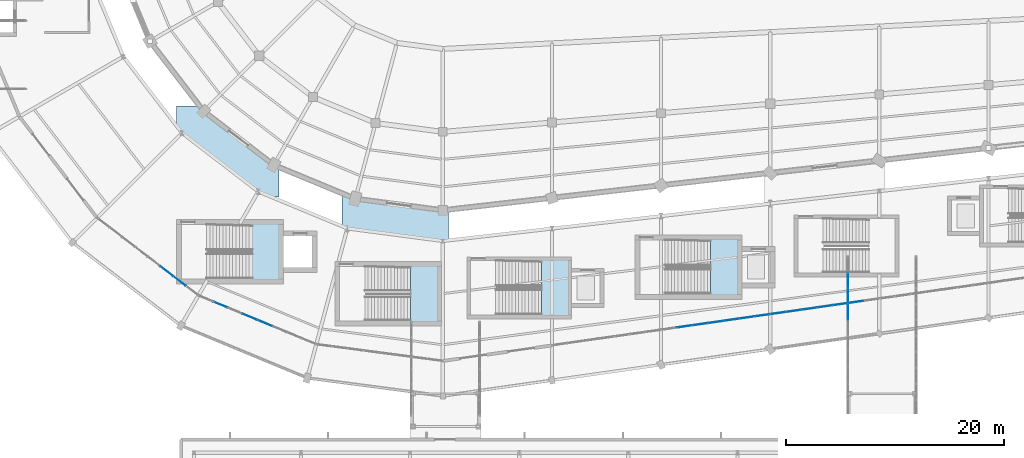
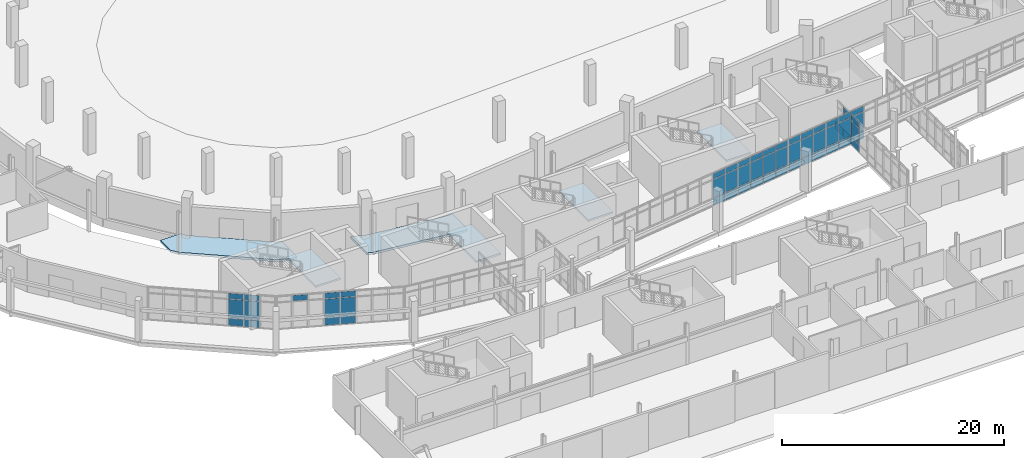
# One storey, part 82 of 122: 56 plates, 6 slabs, 9 elements without a shape of their own.
"""IFC4 building model written with IfcOpenShell, lengths in metres."""

from ifc_helpers import new_model, si_unit, direction, frame, origin, origin_2d, place, context, subcontext, project, spatial, polyline, rectangle, outline, extrude, material, layer, layer_set, type_object, element, aggregate, save


model = new_model("IFC4")

# Units and contexts
model_context = context("Model", 3, precision=1e-05, world=origin(), true_north=direction((0.0, 1.0)))
body_context = subcontext(model_context, "Body", "Model", "MODEL_VIEW")
ifc_project = project(units=[si_unit("LENGTHUNIT", "METRE"), si_unit("AREAUNIT", "SQUARE_METRE"), si_unit("VOLUMEUNIT", "CUBIC_METRE"), si_unit("PLANEANGLEUNIT", "RADIAN"), si_unit("MASSUNIT", "GRAM", prefix="KILO")], contexts=[model_context])

# Site, building, storey
site_placement = place(None, origin())
site = spatial("IfcSite", under=ifc_project, at=site_placement, CompositionType="ELEMENT")
building_placement = place(site_placement, origin())
building = spatial("IfcBuilding", under=site, at=building_placement, Name="Sohan Crest Arena", CompositionType="ELEMENT")
storey_placement = place(building_placement, origin())
storey = spatial("IfcBuildingStorey", under=building, at=storey_placement, Name="L00", CompositionType="ELEMENT", Elevation=0.0)

# Curtain wall, plates
ifc_material_1 = material(Name="Thermally broken anodised aluminium", Category="aluminium")
ifc_layer_1 = layer(ifc_material_1, 0.179931640625, Name="Thermally broken anodised aluminium")
ifc_layer_set_1 = layer_set([ifc_layer_1], Name="Thermally broken anodised aluminium")
curtain_wall_type_1 = type_object("IfcCurtainWallType", Name="ARC-CW01", PredefinedType="NOTDEFINED", material=ifc_layer_set_1)
curtain_wall_1_placement = place(storey_placement, origin())
curtain_wall_1 = element("IfcCurtainWall", 1, at=curtain_wall_1_placement, inside=storey, type_object=curtain_wall_type_1, Name="Unitised curtain wall CW-005", PredefinedType="NOTDEFINED")
ifc_material_2 = material(Name="Low-E double-glazed insulated glass", Category="glass")
ifc_layer_2 = layer(ifc_material_2, 0.028076171875, Name="Low-E double-glazed insulated glass")
ifc_layer_set_2 = layer_set([ifc_layer_2], Name="Low-E double-glazed insulated glass")
plate_type = type_object("IfcPlateType", Name="ARC-CNP01", PredefinedType="CURTAIN_PANEL", material=ifc_layer_set_2)
plate_1_placement = place(storey_placement, frame((72.70068359375, 41.427001953125, 0.06005859375), z_axis=(0.0, 0.0, 1.0), x_axis=(0.79332277167, -0.608801264741, 0.0)))
plate_1 = element("IfcPlate", 2, at=plate_1_placement, type_object=plate_type, Name="CW-005 panel 6.1", PredefinedType="CURTAIN_PANEL", context=body_context, shape_type="SweptSolid", body=[
    extrude(rectangle(XDim=1.40185546875, YDim=0.028076171875, at=origin_2d()), origin(), (0.0, 0.0, 1.0), 0.81005859375),
])
plate_2_placement = place(storey_placement, frame((72.70068359375, 41.427001953125, 0.929931640625), z_axis=(0.0, 0.0, 1.0), x_axis=(0.79332277167, -0.608801264741, 0.0)))
plate_2 = element("IfcPlate", 3, at=plate_2_placement, type_object=plate_type, Name="CW-005 panel 6.2", PredefinedType="CURTAIN_PANEL", context=body_context, shape_type="SweptSolid", body=[
    extrude(rectangle(XDim=1.40185546875, YDim=0.028076171875, at=origin_2d()), origin(), (0.0, 0.0, 1.0), 2.02001953125),
])
plate_3_placement = place(storey_placement, frame((72.70068359375, 41.427001953125, 3.009765625), z_axis=(0.0, 0.0, 1.0), x_axis=(0.79332277167, -0.608801264741, 0.0)))
plate_3 = element("IfcPlate", 4, at=plate_3_placement, type_object=plate_type, Name="CW-005 panel 6.3", PredefinedType="CURTAIN_PANEL", context=body_context, shape_type="SweptSolid", body=[
    extrude(rectangle(XDim=1.40185546875, YDim=0.028076171875, at=origin_2d()), origin(), (0.0, 0.0, 1.0), 0.610107421875),
])
plate_4_placement = place(storey_placement, frame((73.8603515625, 40.537109375, 0.06005859375), z_axis=(0.0, 0.0, 1.0), x_axis=(0.79332277167, -0.608801264741, 0.0)))
plate_4 = element("IfcPlate", 5, at=plate_4_placement, type_object=plate_type, Name="CW-005 panel 7.1", PredefinedType="CURTAIN_PANEL", context=body_context, shape_type="SweptSolid", body=[
    extrude(rectangle(XDim=1.40185546875, YDim=0.028076171875, at=origin_2d()), origin(), (0.0, 0.0, 1.0), 0.81005859375),
])
plate_5_placement = place(storey_placement, frame((73.8603515625, 40.537109375, 0.929931640625), z_axis=(0.0, 0.0, 1.0), x_axis=(0.79332277167, -0.608801264741, 0.0)))
plate_5 = element("IfcPlate", 6, at=plate_5_placement, type_object=plate_type, Name="CW-005 panel 7.2", PredefinedType="CURTAIN_PANEL", context=body_context, shape_type="SweptSolid", body=[
    extrude(rectangle(XDim=1.40185546875, YDim=0.028076171875, at=origin_2d()), origin(), (0.0, 0.0, 1.0), 2.02001953125),
])
plate_6_placement = place(storey_placement, frame((73.8603515625, 40.537109375, 3.009765625), z_axis=(0.0, 0.0, 1.0), x_axis=(0.79332277167, -0.608801264741, 0.0)))
plate_6 = element("IfcPlate", 7, at=plate_6_placement, type_object=plate_type, Name="CW-005 panel 7.3", PredefinedType="CURTAIN_PANEL", context=body_context, shape_type="SweptSolid", body=[
    extrude(rectangle(XDim=1.40185546875, YDim=0.028076171875, at=origin_2d()), origin(), (0.0, 0.0, 1.0), 0.610107421875),
])
aggregate(curtain_wall_1, [plate_1, plate_2, plate_3, plate_4, plate_5, plate_6])

curtain_wall_2_placement = place(storey_placement, origin())
curtain_wall_2 = element("IfcCurtainWall", 8, at=curtain_wall_2_placement, inside=storey, type_object=curtain_wall_type_1, Name="Unitised curtain wall CW-006", PredefinedType="NOTDEFINED")
plate_7_placement = place(storey_placement, frame((77.6259765625, 38.363037109375, 3.009765625), z_axis=(0.0, 0.0, 1.0), x_axis=(0.923896991255, -0.38264128051, 0.0)))
plate_7 = element("IfcPlate", 9, at=plate_7_placement, type_object=plate_type, Name="CW-006 panel 2.3", PredefinedType="CURTAIN_PANEL", context=body_context, shape_type="SweptSolid", body=[
    extrude(rectangle(XDim=1.40185546875, YDim=0.028076171875, at=origin_2d()), origin(), (0.0, 0.0, 1.0), 0.610107421875),
])
plate_8_placement = place(storey_placement, frame((80.3271484375, 37.244140625, 0.06005859375), z_axis=(0.0, 0.0, 1.0), x_axis=(0.923896991255, -0.38264128051, 0.0)))
plate_8 = element("IfcPlate", 10, at=plate_8_placement, type_object=plate_type, Name="CW-006 panel 4.1", PredefinedType="CURTAIN_PANEL", context=body_context, shape_type="SweptSolid", body=[
    extrude(rectangle(XDim=1.40185546875, YDim=0.028076171875, at=origin_2d()), origin(), (0.0, 0.0, 1.0), 0.81005859375),
])
plate_9_placement = place(storey_placement, frame((80.3271484375, 37.244140625, 0.929931640625), z_axis=(0.0, 0.0, 1.0), x_axis=(0.923896991255, -0.38264128051, 0.0)))
plate_9 = element("IfcPlate", 11, at=plate_9_placement, type_object=plate_type, Name="CW-006 panel 4.2", PredefinedType="CURTAIN_PANEL", context=body_context, shape_type="SweptSolid", body=[
    extrude(rectangle(XDim=1.40185546875, YDim=0.028076171875, at=origin_2d()), origin(), (0.0, 0.0, 1.0), 2.02001953125),
])
plate_10_placement = place(storey_placement, frame((80.3271484375, 37.244140625, 3.009765625), z_axis=(0.0, 0.0, 1.0), x_axis=(0.923896991255, -0.38264128051, 0.0)))
plate_10 = element("IfcPlate", 12, at=plate_10_placement, type_object=plate_type, Name="CW-006 panel 4.3", PredefinedType="CURTAIN_PANEL", context=body_context, shape_type="SweptSolid", body=[
    extrude(rectangle(XDim=1.40185546875, YDim=0.028076171875, at=origin_2d()), origin(), (0.0, 0.0, 1.0), 0.610107421875),
])
plate_11_placement = place(storey_placement, frame((81.677734375, 36.684814453125, 0.06005859375), z_axis=(0.0, 0.0, 1.0), x_axis=(0.923896991255, -0.38264128051, 0.0)))
plate_11 = element("IfcPlate", 13, at=plate_11_placement, type_object=plate_type, Name="CW-006 panel 5.1", PredefinedType="CURTAIN_PANEL", context=body_context, shape_type="SweptSolid", body=[
    extrude(rectangle(XDim=1.40185546875, YDim=0.028076171875, at=origin_2d()), origin(), (0.0, 0.0, 1.0), 0.81005859375),
])
plate_12_placement = place(storey_placement, frame((81.677734375, 36.684814453125, 0.929931640625), z_axis=(0.0, 0.0, 1.0), x_axis=(0.923896991255, -0.38264128051, 0.0)))
plate_12 = element("IfcPlate", 14, at=plate_12_placement, type_object=plate_type, Name="CW-006 panel 5.2", PredefinedType="CURTAIN_PANEL", context=body_context, shape_type="SweptSolid", body=[
    extrude(rectangle(XDim=1.40185546875, YDim=0.028076171875, at=origin_2d()), origin(), (0.0, 0.0, 1.0), 2.02001953125),
])
plate_13_placement = place(storey_placement, frame((81.677734375, 36.684814453125, 3.009765625), z_axis=(0.0, 0.0, 1.0), x_axis=(0.923896991255, -0.38264128051, 0.0)))
plate_13 = element("IfcPlate", 15, at=plate_13_placement, type_object=plate_type, Name="CW-006 panel 5.3", PredefinedType="CURTAIN_PANEL", context=body_context, shape_type="SweptSolid", body=[
    extrude(rectangle(XDim=1.40185546875, YDim=0.028076171875, at=origin_2d()), origin(), (0.0, 0.0, 1.0), 0.610107421875),
])
aggregate(curtain_wall_2, [plate_7, plate_8, plate_9, plate_10, plate_11, plate_12, plate_13])

curtain_wall_3_placement = place(storey_placement, origin())
curtain_wall_3 = element("IfcCurtainWall", 16, at=curtain_wall_3_placement, inside=storey, type_object=curtain_wall_type_1, Name="Unitised curtain wall CW-009", PredefinedType="NOTDEFINED")
plate_14_placement = place(storey_placement, frame((120.142822265625, 36.36328125, 0.06005859375), z_axis=(0.0, 0.0, 1.0), x_axis=(0.989943553128, 0.141462933734, 0.0)))
plate_14 = element("IfcPlate", 17, at=plate_14_placement, type_object=plate_type, Name="CW-009 panel 2.1", PredefinedType="CURTAIN_PANEL", context=body_context, shape_type="SweptSolid", body=[
    extrude(rectangle(XDim=1.383056640625, YDim=0.028076171875, at=origin_2d()), origin(), (0.0, 0.0, 1.0), 0.81005859375),
])
plate_15_placement = place(storey_placement, frame((120.142822265625, 36.36328125, 0.929931640625), z_axis=(0.0, 0.0, 1.0), x_axis=(0.989943553128, 0.141462933734, 0.0)))
plate_15 = element("IfcPlate", 18, at=plate_15_placement, type_object=plate_type, Name="CW-009 panel 2.2", PredefinedType="CURTAIN_PANEL", context=body_context, shape_type="SweptSolid", body=[
    extrude(rectangle(XDim=1.383056640625, YDim=0.028076171875, at=origin_2d()), origin(), (0.0, 0.0, 1.0), 2.02001953125),
])
plate_16_placement = place(storey_placement, frame((120.142822265625, 36.36328125, 3.009765625), z_axis=(0.0, 0.0, 1.0), x_axis=(0.989943553128, 0.141462933734, 0.0)))
plate_16 = element("IfcPlate", 19, at=plate_16_placement, type_object=plate_type, Name="CW-009 panel 2.3", PredefinedType="CURTAIN_PANEL", context=body_context, shape_type="SweptSolid", body=[
    extrude(rectangle(XDim=1.383056640625, YDim=0.028076171875, at=origin_2d()), origin(), (0.0, 0.0, 1.0), 0.610107421875),
])
plate_17_placement = place(storey_placement, frame((121.571533203125, 36.5673828125, 0.06005859375), z_axis=(0.0, 0.0, 1.0), x_axis=(0.989943553128, 0.141462933734, 0.0)))
plate_17 = element("IfcPlate", 20, at=plate_17_placement, type_object=plate_type, Name="CW-009 panel 3.1", PredefinedType="CURTAIN_PANEL", context=body_context, shape_type="SweptSolid", body=[
    extrude(rectangle(XDim=1.383056640625, YDim=0.028076171875, at=origin_2d()), origin(), (0.0, 0.0, 1.0), 0.81005859375),
])
plate_18_placement = place(storey_placement, frame((121.571533203125, 36.5673828125, 0.929931640625), z_axis=(0.0, 0.0, 1.0), x_axis=(0.989943553128, 0.141462933734, 0.0)))
plate_18 = element("IfcPlate", 21, at=plate_18_placement, type_object=plate_type, Name="CW-009 panel 3.2", PredefinedType="CURTAIN_PANEL", context=body_context, shape_type="SweptSolid", body=[
    extrude(rectangle(XDim=1.383056640625, YDim=0.028076171875, at=origin_2d()), origin(), (0.0, 0.0, 1.0), 2.02001953125),
])
plate_19_placement = place(storey_placement, frame((121.571533203125, 36.5673828125, 3.009765625), z_axis=(0.0, 0.0, 1.0), x_axis=(0.989943553128, 0.141462933734, 0.0)))
plate_19 = element("IfcPlate", 22, at=plate_19_placement, type_object=plate_type, Name="CW-009 panel 3.3", PredefinedType="CURTAIN_PANEL", context=body_context, shape_type="SweptSolid", body=[
    extrude(rectangle(XDim=1.383056640625, YDim=0.028076171875, at=origin_2d()), origin(), (0.0, 0.0, 1.0), 0.610107421875),
])
plate_20_placement = place(storey_placement, frame((123.0, 36.771484375, 0.06005859375), z_axis=(0.0, 0.0, 1.0), x_axis=(0.989943553128, 0.141462933734, 0.0)))
plate_20 = element("IfcPlate", 23, at=plate_20_placement, type_object=plate_type, Name="CW-009 panel 4.1", PredefinedType="CURTAIN_PANEL", context=body_context, shape_type="SweptSolid", body=[
    extrude(rectangle(XDim=1.383056640625, YDim=0.028076171875, at=origin_2d()), origin(), (0.0, 0.0, 1.0), 0.81005859375),
])
plate_21_placement = place(storey_placement, frame((123.0, 36.771484375, 0.929931640625), z_axis=(0.0, 0.0, 1.0), x_axis=(0.989943553128, 0.141462933734, 0.0)))
plate_21 = element("IfcPlate", 24, at=plate_21_placement, type_object=plate_type, Name="CW-009 panel 4.2", PredefinedType="CURTAIN_PANEL", context=body_context, shape_type="SweptSolid", body=[
    extrude(rectangle(XDim=1.383056640625, YDim=0.028076171875, at=origin_2d()), origin(), (0.0, 0.0, 1.0), 2.02001953125),
])
plate_22_placement = place(storey_placement, frame((123.0, 36.771484375, 3.009765625), z_axis=(0.0, 0.0, 1.0), x_axis=(0.989943553128, 0.141462933734, 0.0)))
plate_22 = element("IfcPlate", 25, at=plate_22_placement, type_object=plate_type, Name="CW-009 panel 4.3", PredefinedType="CURTAIN_PANEL", context=body_context, shape_type="SweptSolid", body=[
    extrude(rectangle(XDim=1.383056640625, YDim=0.028076171875, at=origin_2d()), origin(), (0.0, 0.0, 1.0), 0.610107421875),
])
plate_23_placement = place(storey_placement, frame((124.428466796875, 36.9755859375, 0.06005859375), z_axis=(0.0, 0.0, 1.0), x_axis=(0.989943553128, 0.141462933734, 0.0)))
plate_23 = element("IfcPlate", 26, at=plate_23_placement, type_object=plate_type, Name="CW-009 panel 5.1", PredefinedType="CURTAIN_PANEL", context=body_context, shape_type="SweptSolid", body=[
    extrude(rectangle(XDim=1.383056640625, YDim=0.028076171875, at=origin_2d()), origin(), (0.0, 0.0, 1.0), 0.81005859375),
])
plate_24_placement = place(storey_placement, frame((124.428466796875, 36.9755859375, 0.929931640625), z_axis=(0.0, 0.0, 1.0), x_axis=(0.989943553128, 0.141462933734, 0.0)))
plate_24 = element("IfcPlate", 27, at=plate_24_placement, type_object=plate_type, Name="CW-009 panel 5.2", PredefinedType="CURTAIN_PANEL", context=body_context, shape_type="SweptSolid", body=[
    extrude(rectangle(XDim=1.383056640625, YDim=0.028076171875, at=origin_2d()), origin(), (0.0, 0.0, 1.0), 2.02001953125),
])
plate_25_placement = place(storey_placement, frame((124.428466796875, 36.9755859375, 3.009765625), z_axis=(0.0, 0.0, 1.0), x_axis=(0.989943553128, 0.141462933734, 0.0)))
plate_25 = element("IfcPlate", 28, at=plate_25_placement, type_object=plate_type, Name="CW-009 panel 5.3", PredefinedType="CURTAIN_PANEL", context=body_context, shape_type="SweptSolid", body=[
    extrude(rectangle(XDim=1.383056640625, YDim=0.028076171875, at=origin_2d()), origin(), (0.0, 0.0, 1.0), 0.610107421875),
])
plate_26_placement = place(storey_placement, frame((125.857177734375, 37.1796875, 0.06005859375), z_axis=(0.0, 0.0, 1.0), x_axis=(0.989943553128, 0.141462933734, 0.0)))
plate_26 = element("IfcPlate", 29, at=plate_26_placement, type_object=plate_type, Name="CW-009 panel 6.1", PredefinedType="CURTAIN_PANEL", context=body_context, shape_type="SweptSolid", body=[
    extrude(rectangle(XDim=1.383056640625, YDim=0.028076171875, at=origin_2d()), origin(), (0.0, 0.0, 1.0), 0.81005859375),
])
plate_27_placement = place(storey_placement, frame((125.857177734375, 37.1796875, 0.929931640625), z_axis=(0.0, 0.0, 1.0), x_axis=(0.989943553128, 0.141462933734, 0.0)))
plate_27 = element("IfcPlate", 30, at=plate_27_placement, type_object=plate_type, Name="CW-009 panel 6.2", PredefinedType="CURTAIN_PANEL", context=body_context, shape_type="SweptSolid", body=[
    extrude(rectangle(XDim=1.383056640625, YDim=0.028076171875, at=origin_2d()), origin(), (0.0, 0.0, 1.0), 2.02001953125),
])
plate_28_placement = place(storey_placement, frame((125.857177734375, 37.1796875, 3.009765625), z_axis=(0.0, 0.0, 1.0), x_axis=(0.989943553128, 0.141462933734, 0.0)))
plate_28 = element("IfcPlate", 31, at=plate_28_placement, type_object=plate_type, Name="CW-009 panel 6.3", PredefinedType="CURTAIN_PANEL", context=body_context, shape_type="SweptSolid", body=[
    extrude(rectangle(XDim=1.383056640625, YDim=0.028076171875, at=origin_2d()), origin(), (0.0, 0.0, 1.0), 0.610107421875),
])
plate_29_placement = place(storey_placement, frame((127.270751953125, 37.3818359375, 0.06005859375), z_axis=(0.0, 0.0, 1.0), x_axis=(0.989943553128, 0.141462933734, 0.0)))
plate_29 = element("IfcPlate", 32, at=plate_29_placement, type_object=plate_type, Name="CW-009 panel 7.1", PredefinedType="CURTAIN_PANEL", context=body_context, shape_type="SweptSolid", body=[
    extrude(rectangle(XDim=1.35302734375, YDim=0.028076171875, at=origin_2d()), origin(), (0.0, 0.0, 1.0), 0.81005859375),
])
plate_30_placement = place(storey_placement, frame((127.270751953125, 37.3818359375, 0.929931640625), z_axis=(0.0, 0.0, 1.0), x_axis=(0.989943553128, 0.141462933734, 0.0)))
plate_30 = element("IfcPlate", 33, at=plate_30_placement, type_object=plate_type, Name="CW-009 panel 7.2", PredefinedType="CURTAIN_PANEL", context=body_context, shape_type="SweptSolid", body=[
    extrude(rectangle(XDim=1.35302734375, YDim=0.028076171875, at=origin_2d()), origin(), (0.0, 0.0, 1.0), 2.02001953125),
])
plate_31_placement = place(storey_placement, frame((127.270751953125, 37.3818359375, 3.009765625), z_axis=(0.0, 0.0, 1.0), x_axis=(0.989943553128, 0.141462933734, 0.0)))
plate_31 = element("IfcPlate", 34, at=plate_31_placement, type_object=plate_type, Name="CW-009 panel 7.3", PredefinedType="CURTAIN_PANEL", context=body_context, shape_type="SweptSolid", body=[
    extrude(rectangle(XDim=1.35302734375, YDim=0.028076171875, at=origin_2d()), origin(), (0.0, 0.0, 1.0), 0.610107421875),
])
aggregate(curtain_wall_3, [plate_14, plate_15, plate_16, plate_17, plate_18, plate_19, plate_20, plate_21, plate_22, plate_23, plate_24, plate_25, plate_26, plate_27, plate_28, plate_29, plate_30, plate_31])

curtain_wall_4_placement = place(storey_placement, origin())
curtain_wall_4 = element("IfcCurtainWall", 35, at=curtain_wall_4_placement, inside=storey, type_object=curtain_wall_type_1, Name="Unitised curtain wall CW-010", PredefinedType="NOTDEFINED")
plate_32_placement = place(storey_placement, frame((128.729248046875, 37.590087890625, 0.06005859375), z_axis=(0.0, 0.0, 1.0), x_axis=(0.989957411768, 0.141365918403, 0.0)))
plate_32 = element("IfcPlate", 36, at=plate_32_placement, type_object=plate_type, Name="CW-010 panel 1.1", PredefinedType="CURTAIN_PANEL", context=body_context, shape_type="SweptSolid", body=[
    extrude(rectangle(XDim=1.35302734375, YDim=0.028076171875, at=origin_2d()), origin(), (0.0, 0.0, 1.0), 0.81005859375),
])
plate_33_placement = place(storey_placement, frame((128.729248046875, 37.590087890625, 0.929931640625), z_axis=(0.0, 0.0, 1.0), x_axis=(0.989957411768, 0.141365918403, 0.0)))
plate_33 = element("IfcPlate", 37, at=plate_33_placement, type_object=plate_type, Name="CW-010 panel 1.2", PredefinedType="CURTAIN_PANEL", context=body_context, shape_type="SweptSolid", body=[
    extrude(rectangle(XDim=1.35302734375, YDim=0.028076171875, at=origin_2d()), origin(), (0.0, 0.0, 1.0), 2.02001953125),
])
plate_34_placement = place(storey_placement, frame((128.729248046875, 37.590087890625, 3.009765625), z_axis=(0.0, 0.0, 1.0), x_axis=(0.989957411768, 0.141365918403, 0.0)))
plate_34 = element("IfcPlate", 38, at=plate_34_placement, type_object=plate_type, Name="CW-010 panel 1.3", PredefinedType="CURTAIN_PANEL", context=body_context, shape_type="SweptSolid", body=[
    extrude(rectangle(XDim=1.35302734375, YDim=0.028076171875, at=origin_2d()), origin(), (0.0, 0.0, 1.0), 0.610107421875),
])
plate_35_placement = place(storey_placement, frame((130.142822265625, 37.7919921875, 0.06005859375), z_axis=(0.0, 0.0, 1.0), x_axis=(0.989957411768, 0.141365918403, 0.0)))
plate_35 = element("IfcPlate", 39, at=plate_35_placement, type_object=plate_type, Name="CW-010 panel 2.1", PredefinedType="CURTAIN_PANEL", context=body_context, shape_type="SweptSolid", body=[
    extrude(rectangle(XDim=1.383056640625, YDim=0.028076171875, at=origin_2d()), origin(), (0.0, 0.0, 1.0), 0.81005859375),
])
plate_36_placement = place(storey_placement, frame((130.142822265625, 37.7919921875, 0.929931640625), z_axis=(0.0, 0.0, 1.0), x_axis=(0.989957411768, 0.141365918403, 0.0)))
plate_36 = element("IfcPlate", 40, at=plate_36_placement, type_object=plate_type, Name="CW-010 panel 2.2", PredefinedType="CURTAIN_PANEL", context=body_context, shape_type="SweptSolid", body=[
    extrude(rectangle(XDim=1.383056640625, YDim=0.028076171875, at=origin_2d()), origin(), (0.0, 0.0, 1.0), 2.02001953125),
])
plate_37_placement = place(storey_placement, frame((130.142822265625, 37.7919921875, 3.009765625), z_axis=(0.0, 0.0, 1.0), x_axis=(0.989957411768, 0.141365918403, 0.0)))
plate_37 = element("IfcPlate", 41, at=plate_37_placement, type_object=plate_type, Name="CW-010 panel 2.3", PredefinedType="CURTAIN_PANEL", context=body_context, shape_type="SweptSolid", body=[
    extrude(rectangle(XDim=1.383056640625, YDim=0.028076171875, at=origin_2d()), origin(), (0.0, 0.0, 1.0), 0.610107421875),
])
plate_38_placement = place(storey_placement, frame((131.571533203125, 37.99609375, 0.06005859375), z_axis=(0.0, 0.0, 1.0), x_axis=(0.989957411768, 0.141365918403, 0.0)))
plate_38 = element("IfcPlate", 42, at=plate_38_placement, type_object=plate_type, Name="CW-010 panel 3.1", PredefinedType="CURTAIN_PANEL", context=body_context, shape_type="SweptSolid", body=[
    extrude(rectangle(XDim=1.383056640625, YDim=0.028076171875, at=origin_2d()), origin(), (0.0, 0.0, 1.0), 0.81005859375),
])
plate_39_placement = place(storey_placement, frame((131.571533203125, 37.99609375, 0.929931640625), z_axis=(0.0, 0.0, 1.0), x_axis=(0.989957411768, 0.141365918403, 0.0)))
plate_39 = element("IfcPlate", 43, at=plate_39_placement, type_object=plate_type, Name="CW-010 panel 3.2", PredefinedType="CURTAIN_PANEL", context=body_context, shape_type="SweptSolid", body=[
    extrude(rectangle(XDim=1.383056640625, YDim=0.028076171875, at=origin_2d()), origin(), (0.0, 0.0, 1.0), 2.02001953125),
])
plate_40_placement = place(storey_placement, frame((131.571533203125, 37.99609375, 3.009765625), z_axis=(0.0, 0.0, 1.0), x_axis=(0.989957411768, 0.141365918403, 0.0)))
plate_40 = element("IfcPlate", 44, at=plate_40_placement, type_object=plate_type, Name="CW-010 panel 3.3", PredefinedType="CURTAIN_PANEL", context=body_context, shape_type="SweptSolid", body=[
    extrude(rectangle(XDim=1.383056640625, YDim=0.028076171875, at=origin_2d()), origin(), (0.0, 0.0, 1.0), 0.610107421875),
])
plate_41_placement = place(storey_placement, frame((133.0, 38.199951171875, 0.06005859375), z_axis=(0.0, 0.0, 1.0), x_axis=(0.989957411768, 0.141365918403, 0.0)))
plate_41 = element("IfcPlate", 45, at=plate_41_placement, type_object=plate_type, Name="CW-010 panel 4.1", PredefinedType="CURTAIN_PANEL", context=body_context, shape_type="SweptSolid", body=[
    extrude(rectangle(XDim=1.383056640625, YDim=0.028076171875, at=origin_2d()), origin(), (0.0, 0.0, 1.0), 0.81005859375),
])
plate_42_placement = place(storey_placement, frame((133.0, 38.199951171875, 0.929931640625), z_axis=(0.0, 0.0, 1.0), x_axis=(0.989957411768, 0.141365918403, 0.0)))
plate_42 = element("IfcPlate", 46, at=plate_42_placement, type_object=plate_type, Name="CW-010 panel 4.2", PredefinedType="CURTAIN_PANEL", context=body_context, shape_type="SweptSolid", body=[
    extrude(rectangle(XDim=1.383056640625, YDim=0.028076171875, at=origin_2d()), origin(), (0.0, 0.0, 1.0), 2.02001953125),
])
plate_43_placement = place(storey_placement, frame((133.0, 38.199951171875, 3.009765625), z_axis=(0.0, 0.0, 1.0), x_axis=(0.989957411768, 0.141365918403, 0.0)))
plate_43 = element("IfcPlate", 47, at=plate_43_placement, type_object=plate_type, Name="CW-010 panel 4.3", PredefinedType="CURTAIN_PANEL", context=body_context, shape_type="SweptSolid", body=[
    extrude(rectangle(XDim=1.383056640625, YDim=0.028076171875, at=origin_2d()), origin(), (0.0, 0.0, 1.0), 0.610107421875),
])
plate_44_placement = place(storey_placement, frame((134.428466796875, 38.404052734375, 0.06005859375), z_axis=(0.0, 0.0, 1.0), x_axis=(0.989957411768, 0.141365918403, 0.0)))
plate_44 = element("IfcPlate", 48, at=plate_44_placement, type_object=plate_type, Name="CW-010 panel 5.1", PredefinedType="CURTAIN_PANEL", context=body_context, shape_type="SweptSolid", body=[
    extrude(rectangle(XDim=1.383056640625, YDim=0.028076171875, at=origin_2d()), origin(), (0.0, 0.0, 1.0), 0.81005859375),
])
plate_45_placement = place(storey_placement, frame((134.428466796875, 38.404052734375, 0.929931640625), z_axis=(0.0, 0.0, 1.0), x_axis=(0.989957411768, 0.141365918403, 0.0)))
plate_45 = element("IfcPlate", 49, at=plate_45_placement, type_object=plate_type, Name="CW-010 panel 5.2", PredefinedType="CURTAIN_PANEL", context=body_context, shape_type="SweptSolid", body=[
    extrude(rectangle(XDim=1.383056640625, YDim=0.028076171875, at=origin_2d()), origin(), (0.0, 0.0, 1.0), 2.02001953125),
])
plate_46_placement = place(storey_placement, frame((134.428466796875, 38.404052734375, 3.009765625), z_axis=(0.0, 0.0, 1.0), x_axis=(0.989957411768, 0.141365918403, 0.0)))
plate_46 = element("IfcPlate", 50, at=plate_46_placement, type_object=plate_type, Name="CW-010 panel 5.3", PredefinedType="CURTAIN_PANEL", context=body_context, shape_type="SweptSolid", body=[
    extrude(rectangle(XDim=1.383056640625, YDim=0.028076171875, at=origin_2d()), origin(), (0.0, 0.0, 1.0), 0.610107421875),
])
plate_47_placement = place(storey_placement, frame((135.857177734375, 38.60791015625, 0.06005859375), z_axis=(0.0, 0.0, 1.0), x_axis=(0.989957411768, 0.141365918403, 0.0)))
plate_47 = element("IfcPlate", 51, at=plate_47_placement, type_object=plate_type, Name="CW-010 panel 6.1", PredefinedType="CURTAIN_PANEL", context=body_context, shape_type="SweptSolid", body=[
    extrude(rectangle(XDim=1.383056640625, YDim=0.028076171875, at=origin_2d()), origin(), (0.0, 0.0, 1.0), 0.81005859375),
])
plate_48_placement = place(storey_placement, frame((135.857177734375, 38.60791015625, 0.929931640625), z_axis=(0.0, 0.0, 1.0), x_axis=(0.989957411768, 0.141365918403, 0.0)))
plate_48 = element("IfcPlate", 52, at=plate_48_placement, type_object=plate_type, Name="CW-010 panel 6.2", PredefinedType="CURTAIN_PANEL", context=body_context, shape_type="SweptSolid", body=[
    extrude(rectangle(XDim=1.383056640625, YDim=0.028076171875, at=origin_2d()), origin(), (0.0, 0.0, 1.0), 2.02001953125),
])
plate_49_placement = place(storey_placement, frame((135.857177734375, 38.60791015625, 3.009765625), z_axis=(0.0, 0.0, 1.0), x_axis=(0.989957411768, 0.141365918403, 0.0)))
plate_49 = element("IfcPlate", 53, at=plate_49_placement, type_object=plate_type, Name="CW-010 panel 6.3", PredefinedType="CURTAIN_PANEL", context=body_context, shape_type="SweptSolid", body=[
    extrude(rectangle(XDim=1.383056640625, YDim=0.028076171875, at=origin_2d()), origin(), (0.0, 0.0, 1.0), 0.610107421875),
])
aggregate(curtain_wall_4, [plate_32, plate_33, plate_34, plate_35, plate_36, plate_37, plate_38, plate_39, plate_40, plate_41, plate_42, plate_43, plate_44, plate_45, plate_46, plate_47, plate_48, plate_49])

ifc_layer_3 = layer(ifc_material_1, 0.18994140625, Name="Thermally broken anodised aluminium")
ifc_layer_set_3 = layer_set([ifc_layer_3], Name="Thermally broken anodised aluminium")
curtain_wall_type_2 = type_object("IfcCurtainWallType", Name="ARC-CW05", PredefinedType="NOTDEFINED", material=ifc_layer_set_3)
curtain_wall_5_placement = place(storey_placement, origin())
curtain_wall_5 = element("IfcCurtainWall", 54, at=curtain_wall_5_placement, inside=storey, type_object=curtain_wall_type_2, Name="Unitised curtain wall CW-253", PredefinedType="NOTDEFINED")
plate_50_placement = place(storey_placement, frame((135.1201171875, 37.68994140625, 0.06005859375), z_axis=(0.0, 0.0, 1.0), x_axis=(0.0, 1.0, 0.0)))
plate_50 = element("IfcPlate", 55, at=plate_50_placement, type_object=plate_type, Name="CW-253 panel 7.1", PredefinedType="CURTAIN_PANEL", context=body_context, shape_type="SweptSolid", body=[
    extrude(rectangle(XDim=1.39501953125, YDim=0.028076171875, at=origin_2d()), origin(), (0.0, 0.0, 1.0), 0.81005859375),
])
plate_51_placement = place(storey_placement, frame((135.1201171875, 37.68994140625, 0.93017578125), z_axis=(0.0, 0.0, 1.0), x_axis=(0.0, 1.0, 0.0)))
plate_51 = element("IfcPlate", 56, at=plate_51_placement, type_object=plate_type, Name="CW-253 panel 7.2", PredefinedType="CURTAIN_PANEL", context=body_context, shape_type="SweptSolid", body=[
    extrude(rectangle(XDim=1.39501953125, YDim=0.028076171875, at=origin_2d()), origin(), (0.0, 0.0, 1.0), 1.739990234375),
])
plate_52_placement = place(storey_placement, frame((135.1201171875, 37.68994140625, 2.72998046875), z_axis=(0.0, 0.0, 1.0), x_axis=(0.0, 1.0, 0.0)))
plate_52 = element("IfcPlate", 57, at=plate_52_placement, type_object=plate_type, Name="CW-253 panel 7.3", PredefinedType="CURTAIN_PANEL", context=body_context, shape_type="SweptSolid", body=[
    extrude(rectangle(XDim=1.39501953125, YDim=0.028076171875, at=origin_2d()), origin(), (0.0, 0.0, 1.0), 0.610107421875),
])
plate_53_placement = place(storey_placement, frame((135.1201171875, 39.14990234375, 0.06005859375), z_axis=(0.0, 0.0, 1.0), x_axis=(0.0, 1.0, 0.0)))
plate_53 = element("IfcPlate", 58, at=plate_53_placement, type_object=plate_type, Name="CW-253 panel 8.1", PredefinedType="CURTAIN_PANEL", context=body_context, shape_type="SweptSolid", body=[
    extrude(rectangle(XDim=1.39501953125, YDim=0.028076171875, at=origin_2d()), origin(), (0.0, 0.0, 1.0), 0.81005859375),
])
plate_54_placement = place(storey_placement, frame((135.1201171875, 39.14990234375, 0.93017578125), z_axis=(0.0, 0.0, 1.0), x_axis=(0.0, 1.0, 0.0)))
plate_54 = element("IfcPlate", 59, at=plate_54_placement, type_object=plate_type, Name="CW-253 panel 8.2", PredefinedType="CURTAIN_PANEL", context=body_context, shape_type="SweptSolid", body=[
    extrude(rectangle(XDim=1.39501953125, YDim=0.028076171875, at=origin_2d()), origin(), (0.0, 0.0, 1.0), 1.739990234375),
])
plate_55_placement = place(storey_placement, frame((135.1201171875, 39.14990234375, 2.72998046875), z_axis=(0.0, 0.0, 1.0), x_axis=(0.0, 1.0, 0.0)))
plate_55 = element("IfcPlate", 60, at=plate_55_placement, type_object=plate_type, Name="CW-253 panel 8.3", PredefinedType="CURTAIN_PANEL", context=body_context, shape_type="SweptSolid", body=[
    extrude(rectangle(XDim=1.39501953125, YDim=0.028076171875, at=origin_2d()), origin(), (0.0, 0.0, 1.0), 0.610107421875),
])
plate_56_placement = place(storey_placement, frame((135.1201171875, 40.610107421875, 0.06005859375), z_axis=(0.0, 0.0, 1.0), x_axis=(0.0, 1.0, 0.0)))
plate_56 = element("IfcPlate", 61, at=plate_56_placement, type_object=plate_type, Name="CW-253 panel 9.1", PredefinedType="CURTAIN_PANEL", context=body_context, shape_type="SweptSolid", body=[
    extrude(rectangle(XDim=1.39501953125, YDim=0.028076171875, at=origin_2d()), origin(), (0.0, 0.0, 1.0), 0.81005859375),
])
aggregate(curtain_wall_5, [plate_50, plate_51, plate_52, plate_53, plate_54, plate_55, plate_56])

# Slabs
ifc_material_3 = material(Name="Concrete C40/50", Category="concrete")
ifc_layer_4 = layer(ifc_material_3, 0.25, Name="Concrete C40/50")
ifc_layer_set_4 = layer_set([ifc_layer_4], Name="Concrete C40/50")
slab_type_1 = type_object("IfcSlabType", Name="SL-FLR3", PredefinedType="FLOOR", material=ifc_layer_set_4)
slab_1_placement = place(storey_placement, frame((0.0, 0.0, -0.25)))
element("IfcSlab", 62, at=slab_1_placement, inside=storey, type_object=slab_type_1, Name="Seismic joint threshold slab L00 SL-TH-L00-09", PredefinedType="FLOOR", context=body_context, shape_type="SweptSolid", body=[
    extrude(outline(polyline([(81.10009765625, 48.72802734375), (74.10009765625, 54.10009765625), (73.60009765625, 54.751953125), (73.60009765625, 56.580078125), (75.696044921875, 56.580078125), (76.080078125, 56.080078125), (82.5, 51.153076171875), (83.0, 50.946044921875), (83.0, 48.22802734375), (82.306884765625, 48.22802734375), (81.10009765625, 48.72802734375)])), origin(), (0.0, 0.0, 1.0), 0.25),
])
slab_2_placement = place(storey_placement, frame((0.0, 0.0, -0.25)))
element("IfcSlab", 63, at=slab_2_placement, inside=storey, type_object=slab_type_1, Name="Seismic joint threshold slab L00 SL-TH-L00-11", PredefinedType="FLOOR", context=body_context, shape_type="SweptSolid", body=[
    extrude(outline(polyline([(98.0, 44.199951171875), (89.251953125, 45.35205078125), (88.751953125, 45.55908203125), (88.751953125, 48.555908203125), (88.77001953125, 48.555908203125), (89.97705078125, 48.055908203125), (98.0, 47.0), (98.5, 47.056884765625), (98.5, 44.257080078125), (98.0, 44.199951171875)])), origin(), (0.0, 0.0, 1.0), 0.25),
])

# Stair, slab
stair_type_1 = type_object("IfcStairType", Name="ST-450", PredefinedType="TWO_STRAIGHT_RUN_STAIR", material=ifc_material_3)
stair_1_placement = place(storey_placement, origin())
stair_1 = element("IfcStair", 64, at=stair_1_placement, inside=storey, type_object=stair_type_1, Name="Protected exit stair ST03-L00", PredefinedType="TWO_STRAIGHT_RUN_STAIR")
ifc_layer_5 = layer(ifc_material_3, 0.199951171875, Name="Concrete C40/50")
ifc_layer_set_5 = layer_set([ifc_layer_5], Name="Concrete C40/50")
slab_type_2 = type_object("IfcSlabType", Name="SL-LND1", PredefinedType="LANDING", material=ifc_layer_set_5)
slab_3_placement = place(storey_placement, frame((0.0, 0.0, 2.050048828125)))
slab_3 = element("IfcSlab", 65, at=slab_3_placement, type_object=slab_type_2, Name="ST03-L00 landing 1", PredefinedType="LANDING", context=body_context, shape_type="SweptSolid", body=[
    extrude(outline(polyline([(80.530029296875, 40.550048828125), (83.10009765625, 40.550048828125), (83.10009765625, 45.85009765625), (80.530029296875, 45.85009765625), (80.530029296875, 40.550048828125)])), origin(), (0.0, 0.0, 1.0), 0.199951171875),
])
aggregate(stair_1, [slab_3])

stair_2_placement = place(storey_placement, origin())
stair_2 = element("IfcStair", 66, at=stair_2_placement, inside=storey, type_object=stair_type_1, Name="Protected exit stair ST05-L00", PredefinedType="TWO_STRAIGHT_RUN_STAIR")
slab_4_placement = place(storey_placement, frame((0.0, 0.0, 2.050048828125)))
slab_4 = element("IfcSlab", 67, at=slab_4_placement, type_object=slab_type_2, Name="ST05-L00 landing 1", PredefinedType="LANDING", context=body_context, shape_type="SweptSolid", body=[
    extrude(outline(polyline([(107.030029296875, 37.25), (109.60009765625, 37.25), (109.60009765625, 42.550048828125), (107.030029296875, 42.550048828125), (107.030029296875, 37.25)])), origin(), (0.0, 0.0, 1.0), 0.199951171875),
])
aggregate(stair_2, [slab_4])

stair_3_placement = place(storey_placement, origin())
stair_3 = element("IfcStair", 68, at=stair_3_placement, inside=storey, type_object=stair_type_1, Name="Protected exit stair ST07-L00", PredefinedType="TWO_STRAIGHT_RUN_STAIR")
slab_5_placement = place(storey_placement, frame((0.0, 0.0, 2.050048828125)))
slab_5 = element("IfcSlab", 69, at=slab_5_placement, type_object=slab_type_2, Name="ST07-L00 landing 1", PredefinedType="LANDING", context=body_context, shape_type="SweptSolid", body=[
    extrude(outline(polyline([(122.530029296875, 39.14990234375), (125.10009765625, 39.14990234375), (125.10009765625, 44.449951171875), (122.530029296875, 44.449951171875), (122.530029296875, 39.14990234375)])), origin(), (0.0, 0.0, 1.0), 0.199951171875),
])
aggregate(stair_3, [slab_5])

stair_type_2 = type_object("IfcStairType", Name="ST-450W", PredefinedType="TWO_STRAIGHT_RUN_STAIR", material=ifc_material_3)
stair_4_placement = place(storey_placement, origin())
stair_4 = element("IfcStair", 70, at=stair_4_placement, inside=storey, type_object=stair_type_2, Name="Protected exit stair ST19-L00", PredefinedType="TWO_STRAIGHT_RUN_STAIR")
slab_6_placement = place(storey_placement, frame((0.0, 0.0, 2.050048828125)))
slab_6 = element("IfcSlab", 71, at=slab_6_placement, type_object=slab_type_2, Name="ST19-L00 landing 1", PredefinedType="LANDING", context=body_context, shape_type="SweptSolid", body=[
    extrude(outline(polyline([(95.030029296875, 36.7099609375), (97.60009765625, 36.7099609375), (97.60009765625, 42.010009765625), (95.030029296875, 42.010009765625), (95.030029296875, 36.7099609375)])), origin(), (0.0, 0.0, 1.0), 0.199951171875),
])
aggregate(stair_4, [slab_6])

save(model, "model.ifc")
